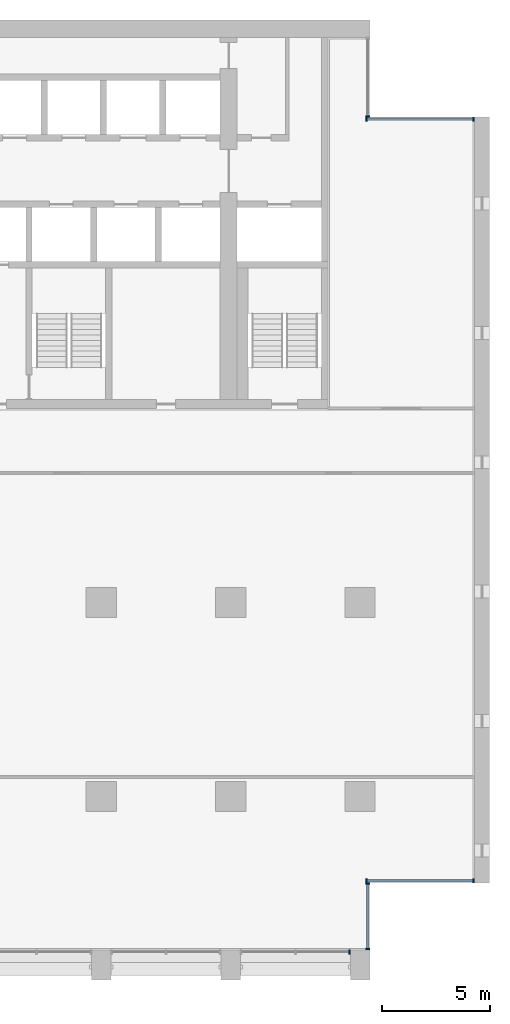
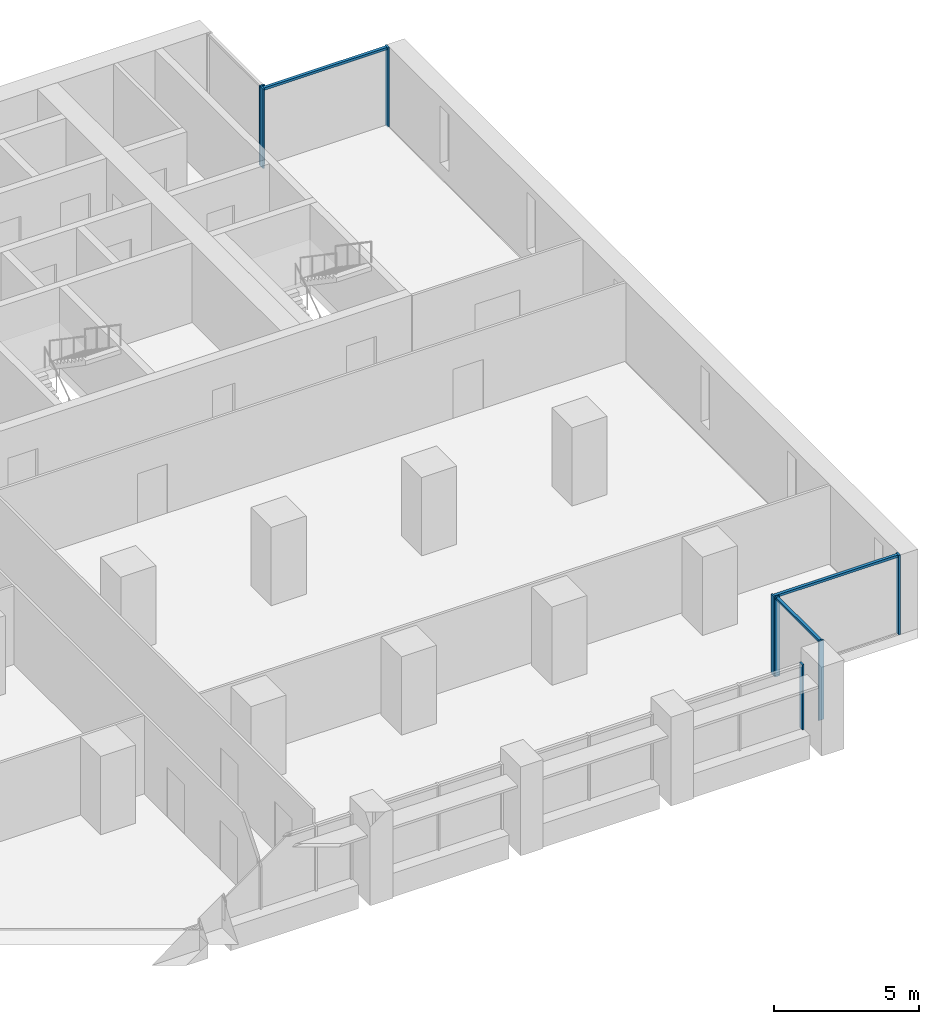
# One storey, part 5 of 15: 11 members, 5 elements without a shape of their own.
"""IFC4 building model written with IfcOpenShell, lengths in metres."""

from ifc_helpers import new_model, si_unit, direction, frame, origin, origin_2d, place, context, subcontext, project, spatial, rectangle, extrude, material, material_profile, profile_set, type_object, element, aggregate, save


model = new_model("IFC4")

# Units and contexts
model_context = context("Model", 3, precision=1e-05, world=origin(), true_north=direction((0.0, 1.0)))
body_context = subcontext(model_context, "Body", "Model", "MODEL_VIEW")
ifc_project = project(units=[si_unit("LENGTHUNIT", "METRE"), si_unit("AREAUNIT", "SQUARE_METRE"), si_unit("VOLUMEUNIT", "CUBIC_METRE"), si_unit("PLANEANGLEUNIT", "RADIAN"), si_unit("MASSUNIT", "GRAM", prefix="KILO")], contexts=[model_context])

# Site, building, storey
site_placement = place(None, origin())
site = spatial("IfcSite", under=ifc_project, at=site_placement, CompositionType="ELEMENT")
building_placement = place(site_placement, origin())
building = spatial("IfcBuilding", under=site, at=building_placement, Name="Calvaro Tower", CompositionType="ELEMENT")
storey_placement = place(building_placement, frame((0.0, 0.0, 110.0)))
storey = spatial("IfcBuildingStorey", under=building, at=storey_placement, Name="L27", CompositionType="ELEMENT", Elevation=110.0)

# Curtain wall, member
ifc_material_1 = material(Name="Anodised aluminium", Category="aluminium")
curtain_wall_type = type_object("IfcCurtainWallType", Name="Office curtain wall, middle zone", PredefinedType="NOTDEFINED", material=ifc_material_1)
curtain_wall_1_placement = place(storey_placement, origin())
curtain_wall_1 = element("IfcCurtainWall", 1, at=curtain_wall_1_placement, inside=storey, type_object=curtain_wall_type, Name="CW2 south curtain wall", PredefinedType="NOTDEFINED")
ifc_material_2 = material(Name="Anodised aluminium", Category="aluminium")
ifc_material_profile_1 = material_profile(ifc_material_2, rectangle(XDim=0.199951171875, YDim=0.070068359375, at=origin_2d()), Name="Mullion S2 70 x 200")
ifc_profile_set_1 = profile_set([ifc_material_profile_1], Name="Anodised aluminium")
member_type_1 = type_object("IfcMemberType", Name="Mullion S2 70 x 200", PredefinedType="MULLION", material=ifc_profile_set_1)
member_1_placement = place(storey_placement, frame((65.514892578125, 2.800048828125, 0.0), z_axis=(0.0, 0.0, 1.0), x_axis=(0.0, 1.0, 0.0)))
member_1 = element("IfcMember", 2, at=member_1_placement, type_object=member_type_1, Name="CW2 mullion 3", PredefinedType="MULLION", context=body_context, shape_type="SweptSolid", body=[
    extrude(rectangle(XDim=0.199951171875, YDim=0.070068359375, at=origin_2d()), origin(), (0.0, 0.0, 1.0), 2.75),
])
aggregate(curtain_wall_1, [member_1])

# Curtain wall, members
curtain_wall_2_placement = place(storey_placement, origin())
curtain_wall_2 = element("IfcCurtainWall", 3, at=curtain_wall_2_placement, inside=storey, type_object=curtain_wall_type, Name="CW2 corner curtain wall", PredefinedType="NOTDEFINED")
member_2_placement = place(storey_placement, frame((66.35009765625, 2.93505859375, 0.0), z_axis=(0.0, 0.0, 1.0), x_axis=(-1.0, 0.0, 0.0)))
member_2 = element("IfcMember", 4, at=member_2_placement, type_object=member_type_1, Name="CW2 mullion 1", PredefinedType="MULLION", context=body_context, shape_type="SweptSolid", body=[
    extrude(rectangle(XDim=0.199951171875, YDim=0.070068359375, at=origin_2d()), origin(), (0.0, 0.0, 1.0), 3.35009765625),
])
member_3_placement = place(storey_placement, frame((66.35009765625, 5.965087890625, 0.0), z_axis=(0.0, 0.0, 1.0), x_axis=(-1.0, 0.0, 0.0)))
member_3 = element("IfcMember", 5, at=member_3_placement, type_object=member_type_1, Name="CW2 mullion 2", PredefinedType="MULLION", context=body_context, shape_type="SweptSolid", body=[
    extrude(rectangle(XDim=0.199951171875, YDim=0.070068359375, at=origin_2d()), origin(), (0.0, 0.0, 1.0), 3.35009765625),
])

curtain_wall_3_placement = place(storey_placement, origin())
curtain_wall_3 = element("IfcCurtainWall", 6, at=curtain_wall_3_placement, inside=storey, type_object=curtain_wall_type, Name="CW2 corner curtain wall", PredefinedType="NOTDEFINED")
member_4_placement = place(storey_placement, frame((66.284912109375, 6.10009765625, 0.0), z_axis=(0.0, 0.0, 1.0), x_axis=(0.0, 1.0, 0.0)))
member_4 = element("IfcMember", 7, at=member_4_placement, type_object=member_type_1, Name="CW2 mullion 1", PredefinedType="MULLION", context=body_context, shape_type="SweptSolid", body=[
    extrude(rectangle(XDim=0.199951171875, YDim=0.070068359375, at=origin_2d()), origin(), (0.0, 0.0, 1.0), 3.35009765625),
])
member_5_placement = place(storey_placement, frame((71.264892578125, 6.10009765625, 0.0), z_axis=(0.0, 0.0, 1.0), x_axis=(0.0, 1.0, 0.0)))
member_5 = element("IfcMember", 8, at=member_5_placement, type_object=member_type_1, Name="CW2 mullion 2", PredefinedType="MULLION", context=body_context, shape_type="SweptSolid", body=[
    extrude(rectangle(XDim=0.199951171875, YDim=0.070068359375, at=origin_2d()), origin(), (0.0, 0.0, 1.0), 3.35009765625),
])

# Curtain wall, member
curtain_wall_4_placement = place(storey_placement, origin())
curtain_wall_4 = element("IfcCurtainWall", 9, at=curtain_wall_4_placement, inside=storey, type_object=curtain_wall_type, Name="CW2 corner curtain wall", PredefinedType="NOTDEFINED")
member_6_placement = place(storey_placement, frame((66.35009765625, 41.534912109375, 0.0), z_axis=(0.0, 0.0, 1.0), x_axis=(-1.0, 0.0, 0.0)))
member_6 = element("IfcMember", 10, at=member_6_placement, type_object=member_type_1, Name="CW2 mullion 1", PredefinedType="MULLION", context=body_context, shape_type="SweptSolid", body=[
    extrude(rectangle(XDim=0.199951171875, YDim=0.070068359375, at=origin_2d()), origin(), (0.0, 0.0, 1.0), 3.35009765625),
])
aggregate(curtain_wall_4, [member_6])

# Curtain wall, members
curtain_wall_5_placement = place(storey_placement, origin())
curtain_wall_5 = element("IfcCurtainWall", 11, at=curtain_wall_5_placement, inside=storey, type_object=curtain_wall_type, Name="CW2 corner curtain wall", PredefinedType="NOTDEFINED")
member_7_placement = place(storey_placement, frame((66.284912109375, 41.39990234375, 0.0), z_axis=(0.0, 0.0, 1.0), x_axis=(0.0, 1.0, 0.0)))
member_7 = element("IfcMember", 12, at=member_7_placement, type_object=member_type_1, Name="CW2 mullion 1", PredefinedType="MULLION", context=body_context, shape_type="SweptSolid", body=[
    extrude(rectangle(XDim=0.199951171875, YDim=0.070068359375, at=origin_2d()), origin(), (0.0, 0.0, 1.0), 3.35009765625),
])
member_8_placement = place(storey_placement, frame((71.264892578125, 41.39990234375, 0.0), z_axis=(0.0, 0.0, 1.0), x_axis=(0.0, 1.0, 0.0)))
member_8 = element("IfcMember", 13, at=member_8_placement, type_object=member_type_1, Name="CW2 mullion 2", PredefinedType="MULLION", context=body_context, shape_type="SweptSolid", body=[
    extrude(rectangle(XDim=0.199951171875, YDim=0.070068359375, at=origin_2d()), origin(), (0.0, 0.0, 1.0), 3.35009765625),
])

# Member
ifc_material_3 = material(Name="Anodised aluminium", Category="aluminium")
ifc_material_profile_2 = material_profile(ifc_material_3, rectangle(XDim=0.1201171875, YDim=0.10009765625, at=origin_2d()), Name="Transom S2 100 x 120")
ifc_profile_set_2 = profile_set([ifc_material_profile_2], Name="Anodised aluminium")
member_type_2 = type_object("IfcMemberType", Name="Transom S2 100 x 120", PredefinedType="USERDEFINED", material=ifc_profile_set_2)
member_9_placement = place(storey_placement, frame((66.35009765625, 2.969970703125, 3.300048828125), z_axis=(0.0, 1.0, 0.0), x_axis=(-1.0, 0.0, 0.0)))
member_9 = element("IfcMember", 14, at=member_9_placement, type_object=member_type_2, Name="CW2 transom 1.1", ObjectType="TRANSOM", PredefinedType="USERDEFINED", context=body_context, shape_type="SweptSolid", body=[
    extrude(rectangle(XDim=0.1201171875, YDim=0.10009765625, at=origin_2d()), origin(), (0.0, 0.0, 1.0), 2.9599609375),
])

aggregate(curtain_wall_2, [member_2, member_3, member_9])

member_10_placement = place(storey_placement, frame((66.320068359375, 6.10009765625, 3.300048828125), z_axis=(1.0, 0.0, 0.0), x_axis=(0.0, 1.0, 0.0)))
member_10 = element("IfcMember", 15, at=member_10_placement, type_object=member_type_2, Name="CW2 transom 1.1", ObjectType="TRANSOM", PredefinedType="USERDEFINED", context=body_context, shape_type="SweptSolid", body=[
    extrude(rectangle(XDim=0.1201171875, YDim=0.10009765625, at=origin_2d()), origin(), (0.0, 0.0, 1.0), 4.909912109375),
])

aggregate(curtain_wall_3, [member_4, member_5, member_10])

member_11_placement = place(storey_placement, frame((66.320068359375, 41.39990234375, 3.300048828125), z_axis=(1.0, 0.0, 0.0), x_axis=(0.0, 1.0, 0.0)))
member_11 = element("IfcMember", 16, at=member_11_placement, type_object=member_type_2, Name="CW2 transom 1.1", ObjectType="TRANSOM", PredefinedType="USERDEFINED", context=body_context, shape_type="SweptSolid", body=[
    extrude(rectangle(XDim=0.1201171875, YDim=0.10009765625, at=origin_2d()), origin(), (0.0, 0.0, 1.0), 4.909912109375),
])

aggregate(curtain_wall_5, [member_7, member_8, member_11])

save(model, "model.ifc")
